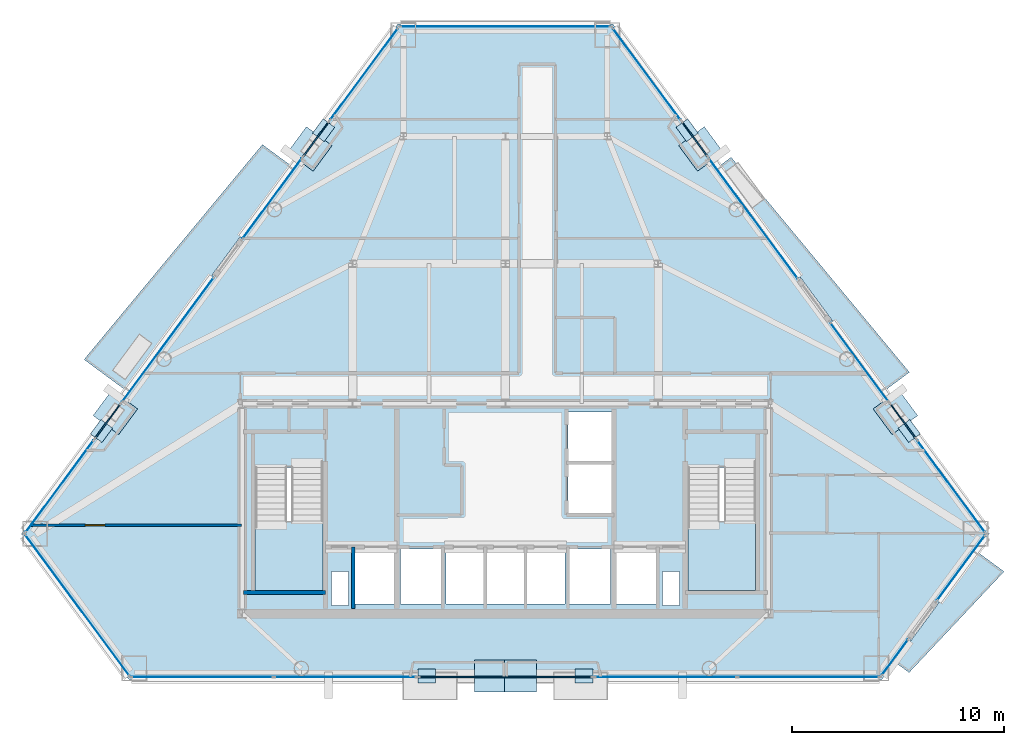
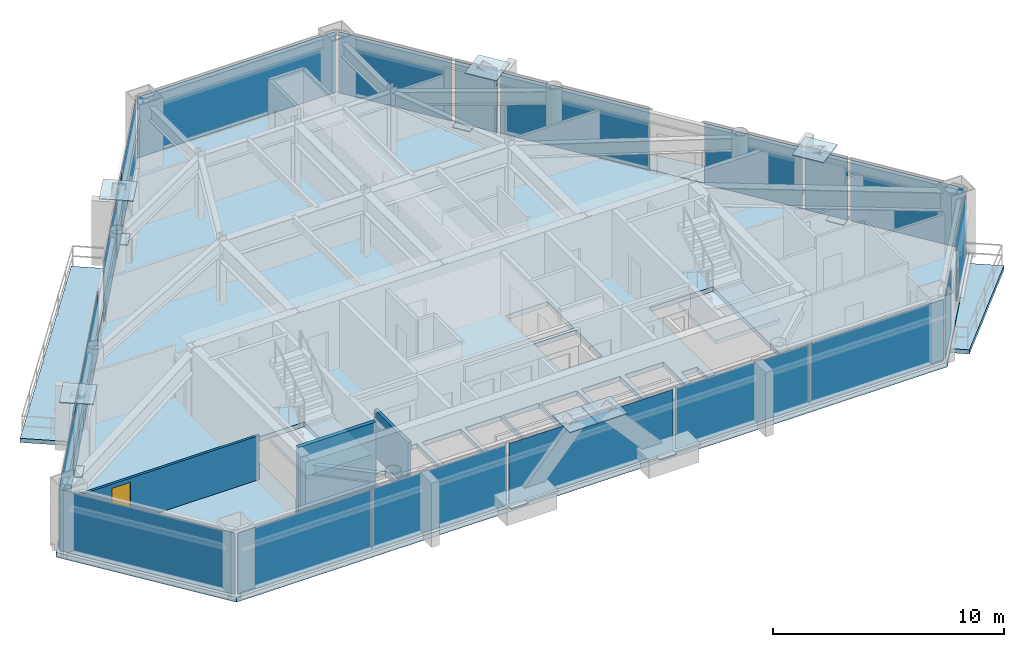
# One storey, part 6 of 11: 33 plates, 6 slabs, 3 walls, 1 door, 1 opening, 21 elements without a shape of their own.
"""IFC4 building model written with IfcOpenShell, lengths in metres."""

from ifc_helpers import new_model, si_unit, direction, frame, frame_2d, origin, origin_2d, place, context, subcontext, project, spatial, polyline, rectangle, outline, extrude, source, transform, mapped, material, layer, layer_set, type_object, type_shapes, element, fill, aggregate, save


model = new_model("IFC4")

# Units and contexts
model_context = context("Model", 3, precision=1e-05, world=origin(), true_north=direction((0.0, 1.0)))
body_context = subcontext(model_context, "Body", "Model", "MODEL_VIEW")
ifc_project = project(units=[si_unit("LENGTHUNIT", "METRE"), si_unit("AREAUNIT", "SQUARE_METRE"), si_unit("VOLUMEUNIT", "CUBIC_METRE"), si_unit("PLANEANGLEUNIT", "RADIAN"), si_unit("MASSUNIT", "GRAM", prefix="KILO")], contexts=[model_context])

# Site, building, storey
site_placement = place(None, origin())
site = spatial("IfcSite", under=ifc_project, at=site_placement, CompositionType="ELEMENT")
building_placement = place(site_placement, origin())
building = spatial("IfcBuilding", under=site, at=building_placement, Name="Talgorran Terracotta Tower", CompositionType="ELEMENT")
storey_placement = place(building_placement, frame((0.0, 0.0, 147.300048828125)))
storey = spatial("IfcBuildingStorey", under=building, at=storey_placement, Name="L38", CompositionType="ELEMENT", Elevation=147.300048828125)

# Plates
ifc_material_1 = material(Name="Steel Grade 350 (350L0)", Category="steel")
ifc_layer_1 = layer(ifc_material_1, 0.035888671875, Name="PL_CAP_MN06")
ifc_layer_set_1 = layer_set([ifc_layer_1], Name="Steel Grade 350 (350L0)")
plate_type_1 = type_object("IfcPlateType", Name="PL_CAP_MN06", PredefinedType="USERDEFINED", material=ifc_layer_set_1)
for number, where, z_axis, x_axis, name in (
    (1, (-3.709716796875, -17.034423828125, -0.0078125), (0.0, 0.0, 1.0), (1.0, 0.0, 0.0), "L38 Diagonal Frame End Cap SWF Bot"),
    (2, (3.709716796875, -17.034423828125, -0.0078125), (0.0, 0.0, 1.0), (-1.0, 0.0, 0.0), "L38 Diagonal Frame End Cap SEF Bot"),
    (3, (19.037353515625, -5.48583984375, -0.0078125), (0.0, 0.0, 1.0), (-0.593980663821, 0.804479316705, 0.0), "L38 Diagonal Frame End Cap NEL Bot"),
    (4, (8.56640625, 8.6923828125, -0.0078125), (0.0, 0.0, 1.0), (0.593980663821, -0.804479316705, 0.0), "L38 Diagonal Frame End Cap NEU Bot"),
    (5, (-8.56640625, 8.6923828125, -0.0078125), (0.0, 0.0, 1.0), (-0.593980663821, -0.804479316705, 0.0), "L38 Diagonal Frame End Cap NWU Bot"),
    (6, (-19.037353515625, -5.48583984375, -0.0078125), (0.0, 0.0, 1.0), (0.593980663821, 0.804479316705, 0.0), "L38 Diagonal Frame End Cap NWL Bot"),
):
    element("IfcPlate", number, at=place(storey_placement, frame(where, z_axis=z_axis, x_axis=x_axis)), inside=storey, type_object=plate_type_1, Name=name, ObjectType="CAP PLATE", PredefinedType="USERDEFINED", context=body_context, shape_type="SweptSolid", body=[
        extrude(rectangle(XDim=0.840087890625, YDim=0.679931640625, at=origin_2d()), origin(), (0.0, 0.0, 1.0), 0.035888671875),
    ])
ifc_layer_2 = layer(ifc_material_1, 0.054931640625, Name="PL_NODE_MN02")
ifc_layer_set_2 = layer_set([ifc_layer_2], Name="Steel Grade 350 (350L0)")
plate_type_2 = type_object("IfcPlateType", Name="PL_NODE_MN02", PredefinedType="USERDEFINED", material=ifc_layer_set_2)
for number, where, z_axis, x_axis, name in (
    (7, (-0.70654296875, -17.034423828125, 3.3125), (0.0, 0.0, 1.0), (1.0, 0.0, 0.0), "L38 Diagonal Frame End Cap SWF Top"),
    (8, (0.70654296875, -17.034423828125, 3.3125), (0.0, 0.0, 1.0), (-1.0, 0.0, 0.0), "L38 Diagonal Frame End Cap SEF Top"),
    (9, (18.385009765625, -4.6025390625, 3.3125), (0.0, 0.0, 1.0), (-0.593980663821, 0.804479316705, 0.0), "L38 Diagonal Frame End Cap NEL Top"),
    (10, (9.218505859375, 7.809326171875, 3.3125), (0.0, 0.0, 1.0), (0.593980663821, -0.804479316705, 0.0), "L38 Diagonal Frame End Cap NEU Top"),
    (11, (-9.218505859375, 7.809326171875, 3.3125), (0.0, 0.0, 1.0), (-0.593980663821, -0.804479316705, 0.0), "L38 Diagonal Frame End Cap NWU Top"),
    (12, (-18.385009765625, -4.6025390625, 3.3125), (0.0, 0.0, 1.0), (0.593980663821, 0.804479316705, 0.0), "L38 Diagonal Frame End Cap NWL Top"),
):
    element("IfcPlate", number, at=place(storey_placement, frame(where, z_axis=z_axis, x_axis=x_axis)), inside=storey, type_object=plate_type_2, Name=name, ObjectType="NODE PLATE", PredefinedType="USERDEFINED", context=body_context, shape_type="SweptSolid", body=[
        extrude(rectangle(XDim=1.5, YDim=1.5, at=origin_2d()), origin(), (0.0, 0.0, 1.0), 0.054931640625),
    ])

# Slabs
ifc_material_2 = material(Name="Concrete C40/50", Category="concrete")
ifc_layer_3 = layer(ifc_material_2, 0.219970703125, Name="SL_BALCONY_220")
ifc_layer_set_3 = layer_set([ifc_layer_3], Name="Concrete C40/50")
slab_type_1 = type_object("IfcSlabType", Name="SL_BALCONY_220", PredefinedType="FLOOR", material=ifc_layer_set_3)
slab_1_placement = place(storey_placement, frame((0.0, 0.0, -0.219970703125)))
element("IfcSlab", 13, at=slab_1_placement, inside=storey, type_object=slab_type_1, Name="L38 Outdoor Wave Balcony BAL-NE", PredefinedType="FLOOR", context=body_context, shape_type="SweptSolid", body=[
    extrude(outline(polyline([(10.049560546875, 6.978515625), (17.85791015625, -3.59423828125), (19.043701171875, -2.71826171875), (10.639892578125, 7.41455078125), (10.049560546875, 6.978515625)])), origin(), (0.0, 0.0, 1.0), 0.219970703125),
])
slab_2_placement = place(storey_placement, frame((0.0, 0.0, -0.219970703125)))
element("IfcSlab", 14, at=slab_2_placement, inside=storey, type_object=slab_type_1, Name="L38 Outdoor Wave Balcony BAL-NW", PredefinedType="FLOOR", context=body_context, shape_type="SweptSolid", body=[
    extrude(outline(polyline([(-17.85791015625, -3.59423828125), (-10.049560546875, 6.978759765625), (-11.453857421875, 8.015625), (-19.85791015625, -2.1171875), (-17.85791015625, -3.59423828125)])), origin(), (0.0, 0.0, 1.0), 0.219970703125),
])
slab_3_placement = place(storey_placement, frame((0.0, 0.0, -0.219970703125)))
element("IfcSlab", 15, at=slab_3_placement, inside=storey, type_object=slab_type_1, Name="L38 Outdoor Wave Balcony BAL-SE", PredefinedType="FLOOR", context=body_context, shape_type="SweptSolid", body=[
    extrude(outline(polyline([(22.218505859375, -11.163818359375), (18.3662109375, -16.379638671875), (19.030517578125, -16.870361328125), (23.50390625, -12.11279296875), (22.218505859375, -11.163818359375)])), origin(), (0.0, 0.0, 1.0), 0.219970703125),
])

# Stair, slab
stair_type = type_object("IfcStairType", Name="ST_FIRE_SCISSOR", PredefinedType="HALF_TURN_STAIR", material=ifc_material_2)
stair_1_placement = place(storey_placement, origin())
stair_1 = element("IfcStair", 16, at=stair_1_placement, inside=storey, type_object=stair_type, Name="L38 West Protected Fire Stair ST-01", PredefinedType="HALF_TURN_STAIR")
ifc_layer_4 = layer(ifc_material_2, 0.199951171875, Name="SL_LANDING_200")
ifc_layer_set_4 = layer_set([ifc_layer_4], Name="Concrete C40/50")
slab_type_2 = type_object("IfcSlabType", Name="SL_LANDING_200", PredefinedType="LANDING", material=ifc_layer_set_4)
slab_4_placement = place(storey_placement, frame((0.0, 0.0, 1.599853515625)))
slab_4 = element("IfcSlab", 17, at=slab_4_placement, type_object=slab_type_2, Name="ST-01 landing 1", PredefinedType="LANDING", context=body_context, shape_type="SweptSolid", body=[
    extrude(outline(polyline([(-11.800048828125, -9.719970703125), (-11.800048828125, -13.0), (-8.60009765625, -13.0), (-8.60009765625, -9.719970703125), (-11.800048828125, -9.719970703125)])), origin(), (0.0, 0.0, 1.0), 0.2001953125),
])
aggregate(stair_1, [slab_4])

stair_2_placement = place(storey_placement, origin())
stair_2 = element("IfcStair", 18, at=stair_2_placement, inside=storey, type_object=stair_type, Name="L38 East Protected Fire Stair ST-02", PredefinedType="HALF_TURN_STAIR")
slab_5_placement = place(storey_placement, frame((0.0, 0.0, 1.599853515625)))
slab_5 = element("IfcSlab", 19, at=slab_5_placement, type_object=slab_type_2, Name="ST-02 landing 1", PredefinedType="LANDING", context=body_context, shape_type="SweptSolid", body=[
    extrude(outline(polyline([(8.60009765625, -9.719970703125), (8.60009765625, -13.0), (11.800048828125, -13.0), (11.800048828125, -9.719970703125), (8.60009765625, -9.719970703125)])), origin(), (0.0, 0.0, 1.0), 0.2001953125),
])
aggregate(stair_2, [slab_5])

# Slab
ifc_layer_5 = layer(ifc_material_2, 0.25, Name="SL_TOWER_250")
ifc_layer_set_5 = layer_set([ifc_layer_5], Name="Concrete C40/50")
slab_type_3 = type_object("IfcSlabType", Name="SL_TOWER_250", PredefinedType="FLOOR", material=ifc_layer_set_5)
slab_6_placement = place(storey_placement, frame((0.0, 0.0, -0.25)))
element("IfcSlab", 20, at=slab_6_placement, inside=storey, type_object=slab_type_3, Name="Storey L38 Structural Floor Slab", PredefinedType="FLOOR", context=body_context, shape_type="SweptSolid", body=[
    extrude(outline(polyline([(-22.814697265625, -10.331298828125), (-17.74609375, -17.1943359375), (17.74609375, -17.1943359375), (22.814697265625, -10.331298828125), (5.068603515625, 13.697998046875), (-5.068603515625, 13.697998046875), (-22.814697265625, -10.331298828125)]), holes=[polyline([(-11.800048828125, -7.199951171875), (-11.800048828125, -13.0), (-8.60009765625, -13.0), (-8.60009765625, -7.199951171875), (-11.800048828125, -7.199951171875)]), polyline([(8.60009765625, -7.199951171875), (8.60009765625, -13.0), (11.800048828125, -13.0), (11.800048828125, -7.199951171875), (8.60009765625, -7.199951171875)]), polyline([(-7.10009765625, -13.64990234375), (-5.199951171875, -13.64990234375), (-5.199951171875, -11.050048828125), (-7.10009765625, -11.050048828125), (-7.10009765625, -13.64990234375)]), polyline([(5.199951171875, -13.64990234375), (7.10009765625, -13.64990234375), (7.10009765625, -11.050048828125), (5.199951171875, -11.050048828125), (5.199951171875, -13.64990234375)]), polyline([(3.0, -13.64990234375), (4.949951171875, -13.64990234375), (4.949951171875, -11.050048828125), (3.0, -11.050048828125), (3.0, -13.64990234375)]), polyline([(-4.949951171875, -13.64990234375), (-3.0, -13.64990234375), (-3.0, -11.050048828125), (-4.949951171875, -11.050048828125), (-4.949951171875, -13.64990234375)]), polyline([(2.949951171875, -9.35009765625), (5.050048828125, -9.35009765625), (5.050048828125, -7.050048828125), (2.949951171875, -7.050048828125), (2.949951171875, -9.35009765625)]), polyline([(2.949951171875, -6.89990234375), (5.050048828125, -6.89990234375), (5.050048828125, -4.60009765625), (2.949951171875, -4.60009765625), (2.949951171875, -6.89990234375)]), polyline([(-2.800048828125, -13.64990234375), (-1.0, -13.64990234375), (-1.0, -11.050048828125), (-2.800048828125, -11.050048828125), (-2.800048828125, -13.64990234375)]), polyline([(-0.89990234375, -13.64990234375), (0.89990234375, -13.64990234375), (0.89990234375, -11.050048828125), (-0.89990234375, -11.050048828125), (-0.89990234375, -13.64990234375)]), polyline([(1.0, -13.64990234375), (2.800048828125, -13.64990234375), (2.800048828125, -11.050048828125), (1.0, -11.050048828125), (1.0, -13.64990234375)]), polyline([(-8.199951171875, -13.699951171875), (-7.39990234375, -13.699951171875), (-7.39990234375, -12.10009765625), (-8.199951171875, -12.10009765625), (-8.199951171875, -13.699951171875)]), polyline([(7.39990234375, -13.699951171875), (8.199951171875, -13.699951171875), (8.199951171875, -12.10009765625), (7.39990234375, -12.10009765625), (7.39990234375, -13.699951171875)])]), origin(), (0.0, 0.0, 1.0), 0.25),
])

# Curtain wall, plate
ifc_material_3 = material(Name="Unitised Low-E Double Glazing", Category="glass")
ifc_layer_6 = layer(ifc_material_3, 0.199951171875, Name="CW_SYS2_RES_LOW")
ifc_layer_set_6 = layer_set([ifc_layer_6], Name="Unitised Low-E Double Glazing")
curtain_wall_type = type_object("IfcCurtainWallType", Name="CW_SYS2_RES_LOW", PredefinedType="NOTDEFINED", material=ifc_layer_set_6)
curtain_wall_1_placement = place(storey_placement, origin())
curtain_wall_1 = element("IfcCurtainWall", 21, at=curtain_wall_1_placement, inside=storey, type_object=curtain_wall_type, Name="CW-L38-F0", PredefinedType="NOTDEFINED")
ifc_material_4 = material(Name="Low-E Laminated Vision Glass", Category="glass")
ifc_layer_7 = layer(ifc_material_4, 0.028076171875, Name="PLT_VISION_28")
ifc_layer_set_7 = layer_set([ifc_layer_7], Name="Low-E Laminated Vision Glass")
plate_type_3 = type_object("IfcPlateType", Name="PLT_VISION_28", PredefinedType="CURTAIN_PANEL", material=ifc_layer_set_7)
shared_shape_1 = source(origin(), body_context, "Body", "SweptSolid", [
    extrude(rectangle(XDim=8.2529296875, YDim=0.028076171875, at=origin_2d()), origin(), (0.0, 0.0, 1.0), 3.219970703125),
])
plate_1_placement = place(storey_placement, frame((-20.175537109375, -13.702880859375, 0.06494140625), z_axis=(0.0, 0.0, 1.0), x_axis=(0.594082099689, -0.804404412487, 0.0)))
plate_1 = element("IfcPlate", 22, at=plate_1_placement, type_object=plate_type_3, Name="CW-L38-0 panel 1.1", PredefinedType="CURTAIN_PANEL", context=body_context, shape_type="MappedRepresentation", body=[
    mapped(shared_shape_1, transform((0.0, 0.0, 0.0), scale=1.0)),
])
aggregate(curtain_wall_1, [plate_1])

curtain_wall_2_placement = place(storey_placement, origin())
curtain_wall_2 = element("IfcCurtainWall", 23, at=curtain_wall_2_placement, inside=storey, type_object=curtain_wall_type, Name="CW-L38-F40B", PredefinedType="NOTDEFINED")
ifc_material_5 = material(Name="Terracotta Insulated Spandrel", Category="masonry")
ifc_layer_8 = layer(ifc_material_5, 0.06494140625, Name="PLT_SPANDREL_TERRA")
ifc_layer_set_8 = layer_set([ifc_layer_8], Name="Terracotta Insulated Spandrel")
plate_type_4 = type_object("IfcPlateType", Name="PLT_SPANDREL_TERRA", PredefinedType="SHEET", material=ifc_layer_set_8)
shared_shape_2 = source(origin(), body_context, "Body", "SweptSolid", [
    extrude(rectangle(XDim=2.000244140625, YDim=0.06494140625, at=origin_2d()), origin(), (0.0, 0.0, 1.0), 3.219970703125),
])
plate_2_placement = place(storey_placement, frame((18.743408203125, -5.0205078125, 0.06494140625), z_axis=(0.0, 0.0, 1.0), x_axis=(-0.594087426545, 0.804400478382, 0.0)))
plate_2 = element("IfcPlate", 24, at=plate_2_placement, type_object=plate_type_4, Name="CW-L38-40B panel 1.1", PredefinedType="CURTAIN_PANEL", context=body_context, shape_type="MappedRepresentation", body=[
    mapped(shared_shape_2, transform((0.0, 0.0, 0.0), scale=1.0)),
])
aggregate(curtain_wall_2, [plate_2])

curtain_wall_3_placement = place(storey_placement, origin())
curtain_wall_3 = element("IfcCurtainWall", 25, at=curtain_wall_3_placement, inside=storey, type_object=curtain_wall_type, Name="CW-L38-F41B", PredefinedType="NOTDEFINED")
plate_3_placement = place(storey_placement, frame((8.924560546875, 8.274658203125, 0.06494140625), z_axis=(0.0, 0.0, 1.0), x_axis=(-0.594064992951, 0.804417046158, 0.0)))
plate_3 = element("IfcPlate", 26, at=plate_3_placement, type_object=plate_type_4, Name="CW-L38-41B panel 1.1", PredefinedType="CURTAIN_PANEL", context=body_context, shape_type="MappedRepresentation", body=[
    mapped(shared_shape_2, transform((0.0, 0.0, 0.0), scale=1.0)),
])
aggregate(curtain_wall_3, [plate_3])

curtain_wall_4_placement = place(storey_placement, origin())
curtain_wall_4 = element("IfcCurtainWall", 27, at=curtain_wall_4_placement, inside=storey, type_object=curtain_wall_type, Name="CW-L38-F60B", PredefinedType="NOTDEFINED")
plate_4_placement = place(storey_placement, frame((-8.924560546875, 8.274658203125, 0.06494140625), z_axis=(0.0, 0.0, 1.0), x_axis=(-0.594034615418, -0.804439479194, 0.0)))
plate_4 = element("IfcPlate", 28, at=plate_4_placement, type_object=plate_type_4, Name="CW-L38-60B panel 1.1", PredefinedType="CURTAIN_PANEL", context=body_context, shape_type="MappedRepresentation", body=[
    mapped(shared_shape_2, transform((0.0, 0.0, 0.0), scale=1.0)),
])
aggregate(curtain_wall_4, [plate_4])

curtain_wall_5_placement = place(storey_placement, origin())
curtain_wall_5 = element("IfcCurtainWall", 29, at=curtain_wall_5_placement, inside=storey, type_object=curtain_wall_type, Name="CW-L38-F61B", PredefinedType="NOTDEFINED")
plate_5_placement = place(storey_placement, frame((-18.743408203125, -5.0205078125, 0.06494140625), z_axis=(0.0, 0.0, 1.0), x_axis=(-0.594087426545, -0.804400478382, 0.0)))
plate_5 = element("IfcPlate", 30, at=plate_5_placement, type_object=plate_type_4, Name="CW-L38-61B panel 1.1", PredefinedType="CURTAIN_PANEL", context=body_context, shape_type="MappedRepresentation", body=[
    mapped(shared_shape_2, transform((0.0, 0.0, 0.0), scale=1.0)),
])
aggregate(curtain_wall_5, [plate_5])

curtain_wall_6_placement = place(storey_placement, origin())
curtain_wall_6 = element("IfcCurtainWall", 31, at=curtain_wall_6_placement, inside=storey, type_object=curtain_wall_type, Name="CW-L38-F4", PredefinedType="NOTDEFINED")
shared_shape_3 = source(origin(), body_context, "Body", "SweptSolid", [
    extrude(rectangle(XDim=9.885986328125, YDim=0.028076171875, at=origin_2d()), origin(), (0.0, 0.0, 1.0), 3.219970703125),
])
plate_6_placement = place(storey_placement, frame((0.0, 13.577880859375, 0.06494140625), z_axis=(0.0, 0.0, 1.0), x_axis=(-1.0, 0.0, 0.0)))
plate_6 = element("IfcPlate", 32, at=plate_6_placement, type_object=plate_type_3, Name="CW-L38-4 panel 1.1", PredefinedType="CURTAIN_PANEL", context=body_context, shape_type="MappedRepresentation", body=[
    mapped(shared_shape_3, transform((0.0, 0.0, 0.0), scale=1.0)),
])
aggregate(curtain_wall_6, [plate_6])

# Curtain wall, plates
curtain_wall_7_placement = place(storey_placement, origin())
curtain_wall_7 = element("IfcCurtainWall", 33, at=curtain_wall_7_placement, inside=storey, type_object=curtain_wall_type, Name="CW-L38-F1", PredefinedType="NOTDEFINED")
shared_shape_4 = source(origin(), body_context, "Body", "SweptSolid", [
    extrude(rectangle(XDim=6.666748046875, YDim=0.028076171875, at=origin_2d()), origin(), (0.0, 0.0, 1.0), 3.219970703125),
])
plate_7_placement = place(storey_placement, frame((-14.287109375, -17.074462890625, 0.06494140625), z_axis=(0.0, 0.0, 1.0), x_axis=(1.0, 0.0, 0.0)))
plate_7 = element("IfcPlate", 34, at=plate_7_placement, type_object=plate_type_3, Name="CW-L38-1 panel 1.1", PredefinedType="CURTAIN_PANEL", context=body_context, shape_type="MappedRepresentation", body=[
    mapped(shared_shape_4, transform((0.0, 0.0, 0.0), scale=1.0)),
])
plate_8_placement = place(storey_placement, frame((-7.555419921875, -17.074462890625, 0.06494140625), z_axis=(0.0, 0.0, 1.0), x_axis=(1.0, 0.0, 0.0)))
plate_8 = element("IfcPlate", 35, at=plate_8_placement, type_object=plate_type_3, Name="CW-L38-1 panel 2.1", PredefinedType="CURTAIN_PANEL", context=body_context, shape_type="MappedRepresentation", body=[
    mapped(shared_shape_4, transform((0.0, 0.0, 0.0), scale=1.0)),
])
aggregate(curtain_wall_7, [plate_7, plate_8])

curtain_wall_8_placement = place(storey_placement, origin())
curtain_wall_8 = element("IfcCurtainWall", 36, at=curtain_wall_8_placement, inside=storey, type_object=curtain_wall_type, Name="CW-L38-F1C", PredefinedType="NOTDEFINED")
plate_9_placement = place(storey_placement, frame((7.555419921875, -17.074462890625, 0.06494140625), z_axis=(0.0, 0.0, 1.0), x_axis=(1.0, 0.0, 0.0)))
plate_9 = element("IfcPlate", 37, at=plate_9_placement, type_object=plate_type_3, Name="CW-L38-1C panel 1.1", PredefinedType="CURTAIN_PANEL", context=body_context, shape_type="MappedRepresentation", body=[
    mapped(shared_shape_4, transform((0.0, 0.0, 0.0), scale=1.0)),
])
plate_10_placement = place(storey_placement, frame((14.287109375, -17.074462890625, 0.06494140625), z_axis=(0.0, 0.0, 1.0), x_axis=(1.0, 0.0, 0.0)))
plate_10 = element("IfcPlate", 38, at=plate_10_placement, type_object=plate_type_3, Name="CW-L38-1C panel 2.1", PredefinedType="CURTAIN_PANEL", context=body_context, shape_type="MappedRepresentation", body=[
    mapped(shared_shape_4, transform((0.0, 0.0, 0.0), scale=1.0)),
])
aggregate(curtain_wall_8, [plate_9, plate_10])

# Curtain wall, plate
curtain_wall_9_placement = place(storey_placement, origin())
curtain_wall_9 = element("IfcCurtainWall", 39, at=curtain_wall_9_placement, inside=storey, type_object=curtain_wall_type, Name="CW-L38-F1B", PredefinedType="NOTDEFINED")
shared_shape_5 = source(origin(), body_context, "Body", "SweptSolid", [
    extrude(rectangle(XDim=8.1640625, YDim=0.06494140625, at=origin_2d()), origin(), (0.0, 0.0, 1.0), 3.219970703125),
])
type_shapes(plate_type_4, [shared_shape_2, shared_shape_5])
plate_11_placement = place(storey_placement, frame((0.0, -17.074462890625, 0.06494140625), z_axis=(0.0, 0.0, 1.0), x_axis=(1.0, 0.0, 0.0)))
plate_11 = element("IfcPlate", 40, at=plate_11_placement, type_object=plate_type_4, Name="CW-L38-1B panel 1.1", PredefinedType="CURTAIN_PANEL", context=body_context, shape_type="MappedRepresentation", body=[
    mapped(shared_shape_5, transform((0.0, 0.0, 0.0), scale=1.0)),
])
aggregate(curtain_wall_9, [plate_11])

curtain_wall_10_placement = place(storey_placement, origin())
curtain_wall_10 = element("IfcCurtainWall", 41, at=curtain_wall_10_placement, inside=storey, type_object=curtain_wall_type, Name="CW-L38-F30", PredefinedType="NOTDEFINED")
shared_shape_6 = source(origin(), body_context, "Body", "SweptSolid", [
    extrude(rectangle(XDim=2.080078125, YDim=0.028076171875, at=origin_2d()), origin(), (0.0, 0.0, 1.0), 3.219970703125),
])
plate_12_placement = place(storey_placement, frame((18.36572265625, -16.1533203125, 0.06494140625), z_axis=(0.0, 0.0, 1.0), x_axis=(0.594069153237, 0.804413973755, 0.0)))
plate_12 = element("IfcPlate", 42, at=plate_12_placement, type_object=plate_type_3, Name="CW-L38-30 panel 1.1", PredefinedType="CURTAIN_PANEL", context=body_context, shape_type="MappedRepresentation", body=[
    mapped(shared_shape_6, transform((0.0, 0.0, 0.0), scale=1.0)),
])
aggregate(curtain_wall_10, [plate_12])

curtain_wall_11_placement = place(storey_placement, origin())
curtain_wall_11 = element("IfcCurtainWall", 43, at=curtain_wall_11_placement, inside=storey, type_object=curtain_wall_type, Name="CW-L38-F31", PredefinedType="NOTDEFINED")
shared_shape_7 = source(origin(), body_context, "Body", "SweptSolid", [
    extrude(rectangle(XDim=3.802490234375, YDim=0.028076171875, at=origin_2d()), origin(), (0.0, 0.0, 1.0), 3.219970703125),
])
plate_13_placement = place(storey_placement, frame((21.4736328125, -11.945068359375, 0.06494140625), z_axis=(0.0, 0.0, 1.0), x_axis=(0.594084291352, 0.804402793859, 0.0)))
plate_13 = element("IfcPlate", 44, at=plate_13_placement, type_object=plate_type_3, Name="CW-L38-31 panel 1.1", PredefinedType="CURTAIN_PANEL", context=body_context, shape_type="MappedRepresentation", body=[
    mapped(shared_shape_7, transform((0.0, 0.0, 0.0), scale=1.0)),
])
aggregate(curtain_wall_11, [plate_13])

curtain_wall_12_placement = place(storey_placement, origin())
curtain_wall_12 = element("IfcCurtainWall", 45, at=curtain_wall_12_placement, inside=storey, type_object=curtain_wall_type, Name="CW-L38-F40", PredefinedType="NOTDEFINED")
shared_shape_8 = source(origin(), body_context, "Body", "SweptSolid", [
    extrude(rectangle(XDim=5.35693359375, YDim=0.028076171875, at=origin_2d()), origin(), (0.0, 0.0, 1.0), 3.219970703125),
])
plate_14_placement = place(storey_placement, frame((21.011962890625, -8.092041015625, 0.06494140625), z_axis=(0.0, 0.0, 1.0), x_axis=(-0.594084577294, 0.804402582679, 0.0)))
plate_14 = element("IfcPlate", 46, at=plate_14_placement, type_object=plate_type_3, Name="CW-L38-40 panel 1.1", PredefinedType="CURTAIN_PANEL", context=body_context, shape_type="MappedRepresentation", body=[
    mapped(shared_shape_8, transform((0.0, 0.0, 0.0), scale=1.0)),
])
aggregate(curtain_wall_12, [plate_14])

curtain_wall_13_placement = place(storey_placement, origin())
curtain_wall_13 = element("IfcCurtainWall", 47, at=curtain_wall_13_placement, inside=storey, type_object=curtain_wall_type, Name="CW-L38-F61C", PredefinedType="NOTDEFINED")
plate_15_placement = place(storey_placement, frame((-21.011962890625, -8.092041015625, 0.06494140625), z_axis=(0.0, 0.0, 1.0), x_axis=(-0.594072784283, -0.804411292172, 0.0)))
plate_15 = element("IfcPlate", 48, at=plate_15_placement, type_object=plate_type_3, Name="CW-L38-61C panel 1.1", PredefinedType="CURTAIN_PANEL", context=body_context, shape_type="MappedRepresentation", body=[
    mapped(shared_shape_8, transform((0.0, 0.0, 0.0), scale=1.0)),
])
aggregate(curtain_wall_13, [plate_15])

curtain_wall_14_placement = place(storey_placement, origin())
curtain_wall_14 = element("IfcCurtainWall", 49, at=curtain_wall_14_placement, inside=storey, type_object=curtain_wall_type, Name="CW-L38-F40C", PredefinedType="NOTDEFINED")
shared_shape_9 = source(origin(), body_context, "Body", "SweptSolid", [
    extrude(rectangle(XDim=4.623291015625, YDim=0.028076171875, at=origin_2d()), origin(), (0.0, 0.0, 1.0), 3.219970703125),
])
plate_16_placement = place(storey_placement, frame((16.69287109375, -2.243896484375, 0.06494140625), z_axis=(0.0, 0.0, 1.0), x_axis=(-0.594086381856, 0.804401249932, 0.0)))
plate_16 = element("IfcPlate", 50, at=plate_16_placement, type_object=plate_type_3, Name="CW-L38-40C panel 1.1", PredefinedType="CURTAIN_PANEL", context=body_context, shape_type="MappedRepresentation", body=[
    mapped(shared_shape_9, transform((0.0, 0.0, 0.0), scale=1.0)),
])
aggregate(curtain_wall_14, [plate_16])

curtain_wall_15_placement = place(storey_placement, origin())
curtain_wall_15 = element("IfcCurtainWall", 51, at=curtain_wall_15_placement, inside=storey, type_object=curtain_wall_type, Name="CW-L38-F41", PredefinedType="NOTDEFINED")
shared_shape_10 = source(origin(), body_context, "Body", "SweptSolid", [
    extrude(rectangle(XDim=7.0341796875, YDim=0.028076171875, at=origin_2d()), origin(), (0.0, 0.0, 1.0), 3.219970703125),
])
plate_17_placement = place(storey_placement, frame((11.69140625, 4.5283203125, 0.06494140625), z_axis=(0.0, 0.0, 1.0), x_axis=(-0.594074293879, 0.804410177305, 0.0)))
plate_17 = element("IfcPlate", 52, at=plate_17_placement, type_object=plate_type_3, Name="CW-L38-41 panel 1.1", PredefinedType="CURTAIN_PANEL", context=body_context, shape_type="MappedRepresentation", body=[
    mapped(shared_shape_10, transform((0.0, 0.0, 0.0), scale=1.0)),
])
aggregate(curtain_wall_15, [plate_17])

curtain_wall_16_placement = place(storey_placement, origin())
curtain_wall_16 = element("IfcCurtainWall", 53, at=curtain_wall_16_placement, inside=storey, type_object=curtain_wall_type, Name="CW-L38-F41C", PredefinedType="NOTDEFINED")
shared_shape_11 = source(origin(), body_context, "Body", "SweptSolid", [
    extrude(rectangle(XDim=5.34765625, YDim=0.028076171875, at=origin_2d()), origin(), (0.0, 0.0, 1.0), 3.219970703125),
])
plate_18_placement = place(storey_placement, frame((6.658935546875, 11.342529296875, 0.06494140625), z_axis=(0.0, 0.0, 1.0), x_axis=(-0.594068654238, 0.804414342271, 0.0)))
plate_18 = element("IfcPlate", 54, at=plate_18_placement, type_object=plate_type_3, Name="CW-L38-41C panel 1.1", PredefinedType="CURTAIN_PANEL", context=body_context, shape_type="MappedRepresentation", body=[
    mapped(shared_shape_11, transform((0.0, 0.0, 0.0), scale=1.0)),
])
aggregate(curtain_wall_16, [plate_18])

curtain_wall_17_placement = place(storey_placement, origin())
curtain_wall_17 = element("IfcCurtainWall", 55, at=curtain_wall_17_placement, inside=storey, type_object=curtain_wall_type, Name="CW-L38-F60", PredefinedType="NOTDEFINED")
plate_19_placement = place(storey_placement, frame((-6.658935546875, 11.342529296875, 0.06494140625), z_axis=(0.0, 0.0, 1.0), x_axis=(-0.594068654238, -0.804414342271, 0.0)))
plate_19 = element("IfcPlate", 56, at=plate_19_placement, type_object=plate_type_3, Name="CW-L38-60 panel 1.1", PredefinedType="CURTAIN_PANEL", context=body_context, shape_type="MappedRepresentation", body=[
    mapped(shared_shape_11, transform((0.0, 0.0, 0.0), scale=1.0)),
])
aggregate(curtain_wall_17, [plate_19])

curtain_wall_18_placement = place(storey_placement, origin())
curtain_wall_18 = element("IfcCurtainWall", 57, at=curtain_wall_18_placement, inside=storey, type_object=curtain_wall_type, Name="CW-L38-F60C", PredefinedType="NOTDEFINED")
shared_shape_12 = source(origin(), body_context, "Body", "SweptSolid", [
    extrude(rectangle(XDim=4.684326171875, YDim=0.028076171875, at=origin_2d()), origin(), (0.0, 0.0, 1.0), 3.219970703125),
])
plate_20_placement = place(storey_placement, frame((-10.993408203125, 5.473388671875, 0.06494140625), z_axis=(0.0, 0.0, 1.0), x_axis=(-0.594068048763, -0.804414789421, 0.0)))
plate_20 = element("IfcPlate", 58, at=plate_20_placement, type_object=plate_type_3, Name="CW-L38-60C panel 1.1", PredefinedType="CURTAIN_PANEL", context=body_context, shape_type="MappedRepresentation", body=[
    mapped(shared_shape_12, transform((0.0, 0.0, 0.0), scale=1.0)),
])
aggregate(curtain_wall_18, [plate_20])

curtain_wall_19_placement = place(storey_placement, origin())
curtain_wall_19 = element("IfcCurtainWall", 59, at=curtain_wall_19_placement, inside=storey, type_object=curtain_wall_type, Name="CW-L38-F61", PredefinedType="NOTDEFINED")
shared_shape_13 = source(origin(), body_context, "Body", "SweptSolid", [
    extrude(rectangle(XDim=7.273193359375, YDim=0.028076171875, at=origin_2d()), origin(), (0.0, 0.0, 1.0), 3.219970703125),
])
type_shapes(plate_type_3, [shared_shape_1, shared_shape_3, shared_shape_4, shared_shape_6, shared_shape_7, shared_shape_8, shared_shape_9, shared_shape_10, shared_shape_11, shared_shape_12, shared_shape_13])
plate_21_placement = place(storey_placement, frame((-15.90576171875, -1.177978515625, 0.06494140625), z_axis=(0.0, 0.0, 1.0), x_axis=(-0.594076916067, -0.804408240756, 0.0)))
plate_21 = element("IfcPlate", 60, at=plate_21_placement, type_object=plate_type_3, Name="CW-L38-61 panel 1.1", PredefinedType="CURTAIN_PANEL", context=body_context, shape_type="MappedRepresentation", body=[
    mapped(shared_shape_13, transform((0.0, 0.0, 0.0), scale=1.0)),
])
aggregate(curtain_wall_19, [plate_21])

# Wall
ifc_material_6 = material(Name="Concrete C50/60", Category="concrete")
ifc_layer_9 = layer(ifc_material_6, 0.199951171875, Name="WT_CORE_200")
ifc_layer_set_9 = layer_set([ifc_layer_9], Name="Concrete C50/60")
wall_type_1 = type_object("IfcWallType", Name="WT_CORE_200", PredefinedType="SOLIDWALL", material=ifc_layer_set_9)
wall_1_placement = place(storey_placement, frame((-12.35009765625, -13.10009765625, 0.0), z_axis=(0.0, 0.0, 1.0), x_axis=(1.0, 0.0, 0.0)))
element("IfcWall", 61, at=wall_1_placement, inside=storey, type_object=wall_type_1, Name="WL-L38-CW-ST1-S", PredefinedType="SOLIDWALL", context=body_context, shape_type="SweptSolid", body=[
    extrude(rectangle(XDim=3.8701171875, YDim=0.199951171875, at=frame_2d((1.93505859375, 0.0))), origin(), (0.0, 0.0, 1.0), 3.599853515625),
])

# Wall, opening, door
ifc_material_7 = material(Name="Insulated Steel Stud Plasterboard", Category="steel")
ifc_layer_10 = layer(ifc_material_7, 0.1201171875, Name="WT_PART_120")
ifc_layer_set_10 = layer_set([ifc_layer_10], Name="Insulated Steel Stud Plasterboard")
wall_type_2 = type_object("IfcWallType", Name="WT_PART_120", PredefinedType="PARTITIONING", material=ifc_layer_set_10)
wall_2_placement = place(storey_placement, frame((-22.36181640625, -9.919921875, 0.0), z_axis=(0.0, 0.0, 1.0), x_axis=(1.0, 0.0, 0.0)))
wall_2 = element("IfcWall", 62, at=wall_2_placement, inside=storey, type_object=wall_type_2, Name="WL-L38-W-L38-R30", PredefinedType="PARTITIONING", context=body_context, shape_type="SweptSolid", body=[
    extrude(rectangle(XDim=9.921875, YDim=0.1201171875, at=frame_2d((4.9609375, 0.0))), origin(), (0.0, 0.0, 1.0), 2.324951171875),
])
opening_placement = place(wall_2_placement, frame((2.56884765625, 0.0, 0.0)))
opening = element("IfcOpeningElement", 63, at=opening_placement, cuts=wall_2, Name="Opening DR-L38-R11", PredefinedType="OPENING", context=body_context, shape_type="SweptSolid", body=[
    extrude(rectangle(XDim=0.925921875, YDim=2.10409765625, at=frame_2d((0.4599609375, 1.052001953125))), frame((0.0, 0.070068359375, 0.0), z_axis=(0.0, -1.0, 0.0), x_axis=(1.0, 0.0, 0.0)), (0.0, 0.0, 1.0), 0.14013671875),
])
ifc_material_8 = material(Name="Solid-Core Painted Timber", Category="wood")
door_type = type_object("IfcDoorType", Name="DT_INT_920", OperationType="NOTDEFINED", PredefinedType="DOOR", material=ifc_material_8)
door_placement = place(opening_placement, origin())
door = element("IfcDoor", 64, at=door_placement, inside=storey, type_object=door_type, Name="DR-L38-R11", OperationType="SINGLE_SWING_LEFT", OverallHeight=2.10009765625, OverallWidth=0.919921875, PredefinedType="DOOR", context=body_context, shape_type="SweptSolid", body=[
    extrude(rectangle(XDim=0.919921875, YDim=2.10009765625, at=frame_2d((0.4599609375, 1.050048828125))), frame((0.0, 0.02490234375, 0.0), z_axis=(0.0, -1.0, 0.0), x_axis=(1.0, 0.0, 0.0)), (0.0, 0.0, 1.0), 0.050048828125),
])
fill(opening, door)

# Wall
ifc_material_9 = material(Name="Fire-Rated Shaftwall")
ifc_layer_11 = layer(ifc_material_9, 0.159912109375, Name="WT_PART_150")
ifc_layer_set_11 = layer_set([ifc_layer_11], Name="Fire-Rated Shaftwall")
wall_type_3 = type_object("IfcWallType", Name="WT_PART_150", PredefinedType="PARTITIONING", material=ifc_layer_set_11)
wall_3_placement = place(storey_placement, frame((-7.179931640625, -13.85009765625, 0.0), z_axis=(0.0, 0.0, 1.0), x_axis=(0.0, 1.0, 0.0)))
element("IfcWall", 65, at=wall_3_placement, inside=storey, type_object=wall_type_3, Name="WL-L38-CW-RSW", PredefinedType="PARTITIONING", context=body_context, shape_type="SweptSolid", body=[
    extrude(rectangle(XDim=2.900146484375, YDim=0.159912109375, at=frame_2d((1.4501953125, 0.0))), origin(), (0.0, 0.0, 1.0), 2.474853515625),
])

save(model, "model.ifc")
